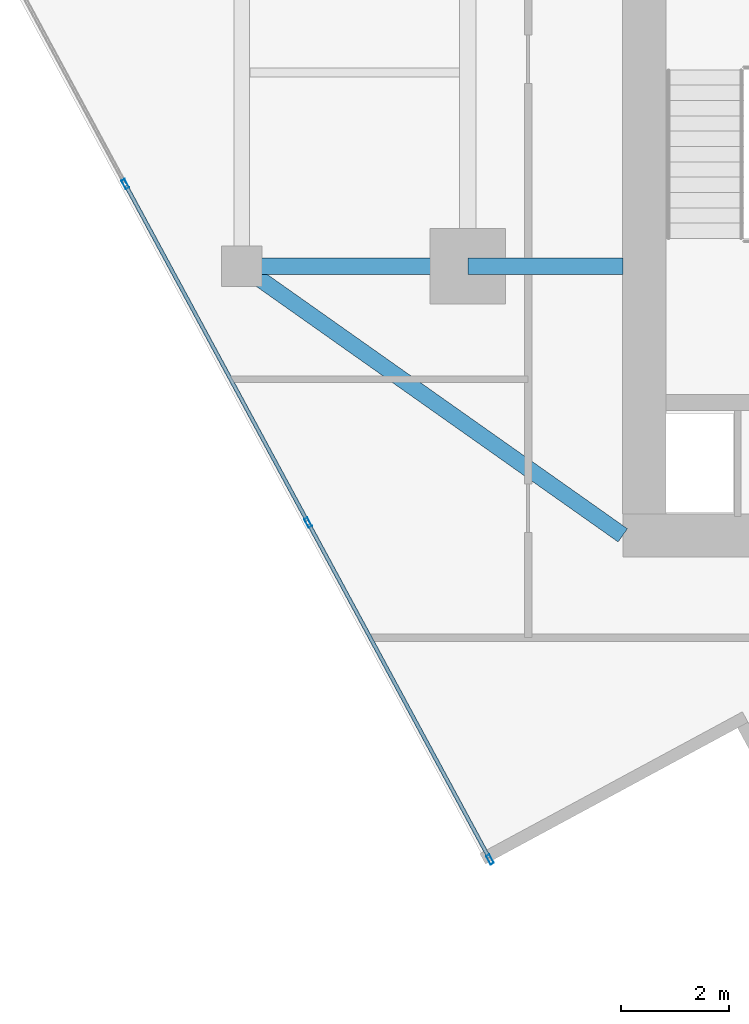
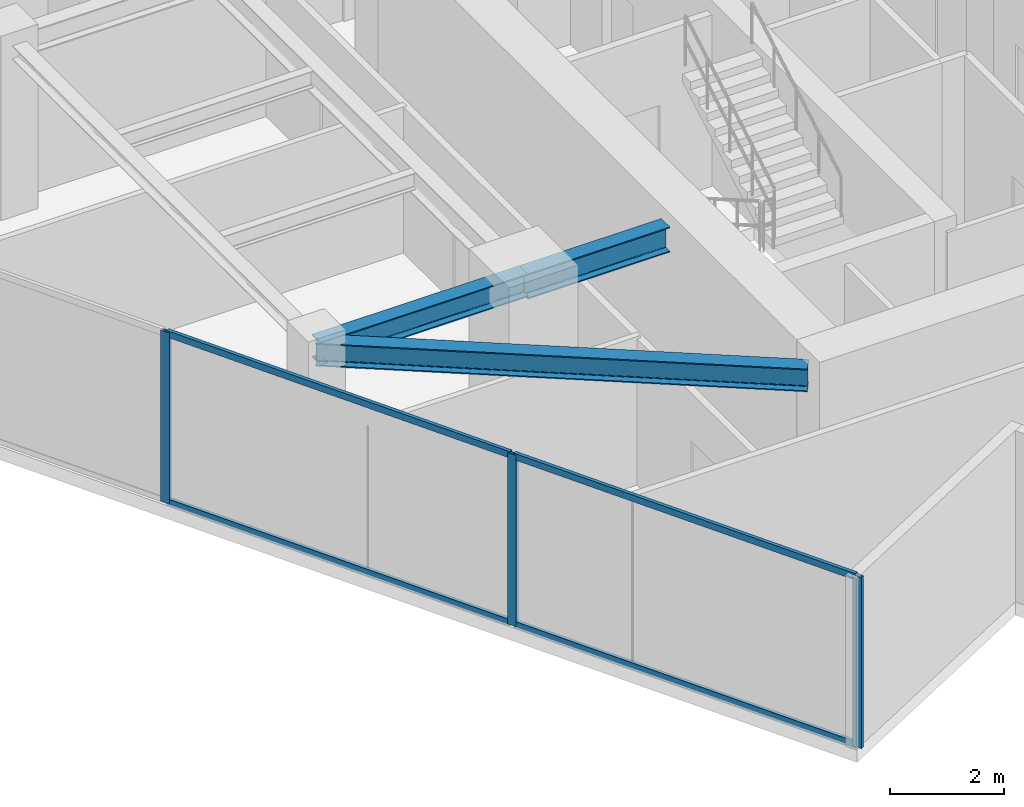
# One storey, part 2 of 22: 7 members, 3 beams, 1 element without a shape of its own.
"""IFC4 building model written with IfcOpenShell, lengths in metres."""

from ifc_helpers import new_model, si_unit, direction, frame, origin, origin_2d, place, context, subcontext, project, spatial, hollow_rectangle, i_section, extrude, source, transform, mapped, material, material_profile, profile_set, type_object, type_shapes, element, aggregate, save


model = new_model("IFC4")

# Units and contexts
model_context = context("Model", 3, precision=1e-05, world=origin(), true_north=direction((0.0, 1.0)))
body_context = subcontext(model_context, "Body", "Model", "MODEL_VIEW")
ifc_project = project(units=[si_unit("LENGTHUNIT", "METRE"), si_unit("AREAUNIT", "SQUARE_METRE"), si_unit("VOLUMEUNIT", "CUBIC_METRE"), si_unit("PLANEANGLEUNIT", "RADIAN"), si_unit("MASSUNIT", "GRAM", prefix="KILO")], contexts=[model_context])

# Site, building, storey
site_placement = place(None, origin())
site = spatial("IfcSite", under=ifc_project, at=site_placement, CompositionType="ELEMENT")
building_placement = place(site_placement, origin())
building = spatial("IfcBuilding", under=site, at=building_placement, Name="Krantzveldt Concourse Tower", CompositionType="ELEMENT")
storey_placement = place(building_placement, frame((0.0, 0.0, 306.89990234375)))
storey = spatial("IfcBuildingStorey", under=building, at=storey_placement, Name="L75", CompositionType="ELEMENT", Elevation=306.89990234375)

# Beams
ifc_material_1 = material(Name="Steel S355JR", Category="steel")
ifc_material_profile_1 = material_profile(ifc_material_1, i_section(OverallWidth=0.300048828125, OverallDepth=0.489990234375, WebThickness=0.011962890625, FlangeThickness=0.02294921875, FilletRadius=0.027099609375, at=origin_2d()), Name="Steel S355JR", Category="steel")
ifc_profile_set_1 = profile_set([ifc_material_profile_1], Name="Steel S355JR - HEA 500")
beam_type_1 = type_object("IfcBeamType", Name="BM-B-HEA500", PredefinedType="BEAM", material=ifc_profile_set_1)
shared_shape_1 = source(origin(), body_context, "Body", "SweptSolid", [
    extrude(i_section(OverallWidth=0.300048828125, OverallDepth=0.489990234375, WebThickness=0.011962890625, FlangeThickness=0.02294921875, FilletRadius=0.027099609375, at=origin_2d()), origin(), (0.0, 0.0, 1.0), 4.199951171875),
])
beam_1_placement = place(storey_placement, frame((21.0, 15.89990234375, 3.425048828125), z_axis=(1.0, 0.0, 0.0), x_axis=(0.0, 1.0, 0.0)))
element("IfcBeam", 1, at=beam_1_placement, inside=storey, type_object=beam_type_1, Name="L75 Tower Girder BR-RL1", PredefinedType="BEAM", context=body_context, shape_type="MappedRepresentation", body=[
    mapped(shared_shape_1, transform((0.0, 0.0, 0.0), x_axis=(1.0, 0.0, 0.0), y_axis=(0.0, 1.0, 0.0), z_axis=(0.0, 0.0, 1.0), scale=1.0)),
])
shared_shape_2 = source(origin(), body_context, "Body", "SweptSolid", [
    extrude(i_section(OverallWidth=0.300048828125, OverallDepth=0.489990234375, WebThickness=0.011962890625, FlangeThickness=0.02294921875, FilletRadius=0.027099609375, at=origin_2d()), origin(), (0.0, 0.0, 1.0), 8.667724609375),
])
type_shapes(beam_type_1, [shared_shape_1, shared_shape_2])
beam_2_placement = place(storey_placement, frame((21.0, 15.89990234375, 3.425048828125), z_axis=(0.81684294656, -0.576860122261, 0.0), x_axis=(0.576860122261, 0.81684294656, 0.0)))
element("IfcBeam", 2, at=beam_2_placement, inside=storey, type_object=beam_type_1, Name="L75 Tower Girder BR-CSW", PredefinedType="BEAM", context=body_context, shape_type="MappedRepresentation", body=[
    mapped(shared_shape_2, transform((0.0, 0.0, 0.0), x_axis=(1.0, 0.0, 0.0), y_axis=(0.0, 1.0, 0.0), z_axis=(0.0, 0.0, 1.0), scale=1.0)),
])
ifc_material_profile_2 = material_profile(ifc_material_1, i_section(OverallWidth=0.300048828125, OverallDepth=0.5400390625, WebThickness=0.012451171875, FlangeThickness=0.02392578125, FilletRadius=0.027099609375, at=origin_2d()), Name="Steel S355JR", Category="steel")
ifc_profile_set_2 = profile_set([ifc_material_profile_2], Name="Steel S355JR - HEA 550")
beam_type_2 = type_object("IfcBeamType", Name="BM-B-HEA550", PredefinedType="BEAM", material=ifc_profile_set_2)
shared_shape_3 = source(origin(), body_context, "Body", "SweptSolid", [
    extrude(i_section(OverallWidth=0.300048828125, OverallDepth=0.5400390625, WebThickness=0.012451171875, FlangeThickness=0.02392578125, FilletRadius=0.027099609375, at=origin_2d()), origin(), (0.0, 0.0, 1.0), 2.880126953125),
])
type_shapes(beam_type_2, [shared_shape_3])
beam_3_placement = place(storey_placement, frame((25.199951171875, 15.89990234375, 3.400146484375), z_axis=(1.0, 0.0, 0.0), x_axis=(0.0, 1.0, 0.0)))
element("IfcBeam", 3, at=beam_3_placement, inside=storey, type_object=beam_type_2, Name="L75 Tower Girder BG-CW1", PredefinedType="BEAM", context=body_context, shape_type="MappedRepresentation", body=[
    mapped(shared_shape_3, transform((0.0, 0.0, 0.0), x_axis=(1.0, 0.0, 0.0), y_axis=(0.0, 1.0, 0.0), z_axis=(0.0, 0.0, 1.0), scale=1.0)),
])

# Curtain wall, members
ifc_material_2 = material(Name="Anodised aluminium 6063-T6", Category="aluminium")
curtain_wall_type = type_object("IfcCurtainWallType", Name="CW4", PredefinedType="USERDEFINED", material=ifc_material_2)
curtain_wall_placement = place(storey_placement, origin())
curtain_wall = element("IfcCurtainWall", 4, at=curtain_wall_placement, inside=storey, type_object=curtain_wall_type, Name="CW-L75-F04", ObjectType="UNITISED CURTAIN WALL", PredefinedType="USERDEFINED")
ifc_material_profile_3 = material_profile(ifc_material_2, hollow_rectangle(XDim=0.070068359375, YDim=0.179931640625, WallThickness=0.0048828125, at=origin_2d()), Name="Anodised aluminium 6063-T6", Category="aluminium")
ifc_profile_set_3 = profile_set([ifc_material_profile_3], Name="Anodised aluminium 6063-T6 - ALU-MULL 180x70x5")
member_type_1 = type_object("IfcMemberType", Name="CW-MUL-180", PredefinedType="MULLION", material=ifc_profile_set_3)
shared_shape_4 = source(origin(), body_context, "Body", "SweptSolid", [
    extrude(hollow_rectangle(XDim=0.070068359375, YDim=0.179931640625, WallThickness=0.0048828125, at=origin_2d()), origin(), (0.0, 0.0, 1.0), 3.670166015625),
])
type_shapes(member_type_1, [shared_shape_4])
member_1_placement = place(storey_placement, frame((18.833984375, 17.427978515625, 0.0), z_axis=(0.0, 0.0, 1.0), x_axis=(0.87985605875, 0.475240271736, 0.0)))
member_1 = element("IfcMember", 5, at=member_1_placement, type_object=member_type_1, Name="CW-Z56 mullion 3", PredefinedType="MULLION", context=body_context, shape_type="MappedRepresentation", body=[
    mapped(shared_shape_4, transform((0.0, 0.0, 0.0), x_axis=(1.0, 0.0, 0.0), y_axis=(0.0, 1.0, 0.0), z_axis=(0.0, 0.0, 1.0), scale=1.0)),
])
member_2_placement = place(storey_placement, frame((22.23193359375, 11.13720703125, 0.0), z_axis=(0.0, 0.0, 1.0), x_axis=(0.87985605875, 0.475240271736, 0.0)))
member_2 = element("IfcMember", 6, at=member_2_placement, type_object=member_type_1, Name="CW-Z56 mullion 4", PredefinedType="MULLION", context=body_context, shape_type="MappedRepresentation", body=[
    mapped(shared_shape_4, transform((0.0, 0.0, 0.0), x_axis=(1.0, 0.0, 0.0), y_axis=(0.0, 1.0, 0.0), z_axis=(0.0, 0.0, 1.0), scale=1.0)),
])
member_3_placement = place(storey_placement, frame((25.61328125, 4.876953125, 0.0), z_axis=(0.0, 0.0, 1.0), x_axis=(0.87985605875, 0.475240271736, 0.0)))
member_3 = element("IfcMember", 7, at=member_3_placement, type_object=member_type_1, Name="CW-Z56 mullion 5", PredefinedType="MULLION", context=body_context, shape_type="MappedRepresentation", body=[
    mapped(shared_shape_4, transform((0.0, 0.0, 0.0), x_axis=(1.0, 0.0, 0.0), y_axis=(0.0, 1.0, 0.0), z_axis=(0.0, 0.0, 1.0), scale=1.0)),
])
ifc_material_profile_4 = material_profile(ifc_material_2, hollow_rectangle(XDim=0.070068359375, YDim=0.139892578125, WallThickness=0.0048828125, at=origin_2d()), Name="Anodised aluminium 6063-T6", Category="aluminium")
ifc_profile_set_4 = profile_set([ifc_material_profile_4], Name="Anodised aluminium 6063-T6 - ALU-TRAN 140x70x5")
member_type_2 = type_object("IfcMemberType", Name="CW-TRN-150", PredefinedType="USERDEFINED", material=ifc_profile_set_4)
shared_shape_5 = source(origin(), body_context, "Body", "SweptSolid", [
    extrude(hollow_rectangle(XDim=0.070068359375, YDim=0.139892578125, WallThickness=0.0048828125, at=origin_2d()), origin(), (0.0, 0.0, 1.0), 7.044921875),
])
member_4_placement = place(storey_placement, frame((22.24853515625, 11.106201171875, 0.03515625), z_axis=(0.475254624791, -0.879848306025, 0.0), x_axis=(0.879848306025, 0.475254624791, 0.0)))
member_4 = element("IfcMember", 8, at=member_4_placement, type_object=member_type_2, Name="CW-Z56 transom 4.1", ObjectType="TRANSOM", PredefinedType="USERDEFINED", context=body_context, shape_type="MappedRepresentation", body=[
    mapped(shared_shape_5, transform((0.0, 0.0, 0.0), x_axis=(1.0, 0.0, 0.0), y_axis=(0.0, 1.0, 0.0), z_axis=(0.0, 0.0, 1.0), scale=1.0)),
])
member_5_placement = place(storey_placement, frame((22.24853515625, 11.106201171875, 3.635009765625), z_axis=(0.475254624791, -0.879848306025, 0.0), x_axis=(0.879848306025, 0.475254624791, 0.0)))
member_5 = element("IfcMember", 9, at=member_5_placement, type_object=member_type_2, Name="CW-Z56 transom 4.2", ObjectType="TRANSOM", PredefinedType="USERDEFINED", context=body_context, shape_type="MappedRepresentation", body=[
    mapped(shared_shape_5, transform((0.0, 0.0, 0.0), x_axis=(1.0, 0.0, 0.0), y_axis=(0.0, 1.0, 0.0), z_axis=(0.0, 0.0, 1.0), scale=1.0)),
])
shared_shape_6 = source(origin(), body_context, "Body", "SweptSolid", [
    extrude(hollow_rectangle(XDim=0.070068359375, YDim=0.139892578125, WallThickness=0.0048828125, at=origin_2d()), origin(), (0.0, 0.0, 1.0), 7.079833984375),
])
type_shapes(member_type_2, [shared_shape_5, shared_shape_6])
member_6_placement = place(storey_placement, frame((18.8505859375, 17.397216796875, 0.03515625), z_axis=(0.47525303502, -0.879849164746, 0.0), x_axis=(0.879849164746, 0.47525303502, 0.0)))
member_6 = element("IfcMember", 10, at=member_6_placement, type_object=member_type_2, Name="CW-Z56 transom 3.1", ObjectType="TRANSOM", PredefinedType="USERDEFINED", context=body_context, shape_type="MappedRepresentation", body=[
    mapped(shared_shape_6, transform((0.0, 0.0, 0.0), x_axis=(1.0, 0.0, 0.0), y_axis=(0.0, 1.0, 0.0), z_axis=(0.0, 0.0, 1.0), scale=1.0)),
])
member_7_placement = place(storey_placement, frame((18.8505859375, 17.397216796875, 3.635009765625), z_axis=(0.47525303502, -0.879849164746, 0.0), x_axis=(0.879849164746, 0.47525303502, 0.0)))
member_7 = element("IfcMember", 11, at=member_7_placement, type_object=member_type_2, Name="CW-Z56 transom 3.2", ObjectType="TRANSOM", PredefinedType="USERDEFINED", context=body_context, shape_type="MappedRepresentation", body=[
    mapped(shared_shape_6, transform((0.0, 0.0, 0.0), x_axis=(1.0, 0.0, 0.0), y_axis=(0.0, 1.0, 0.0), z_axis=(0.0, 0.0, 1.0), scale=1.0)),
])
aggregate(curtain_wall, [member_1, member_2, member_3, member_6, member_7, member_4, member_5])

save(model, "model.ifc")
